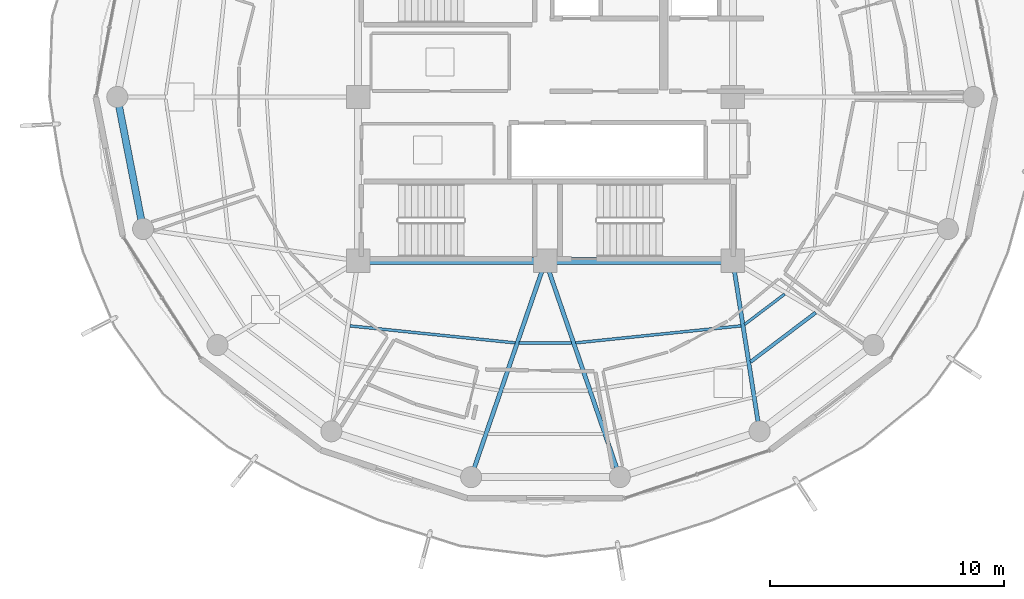
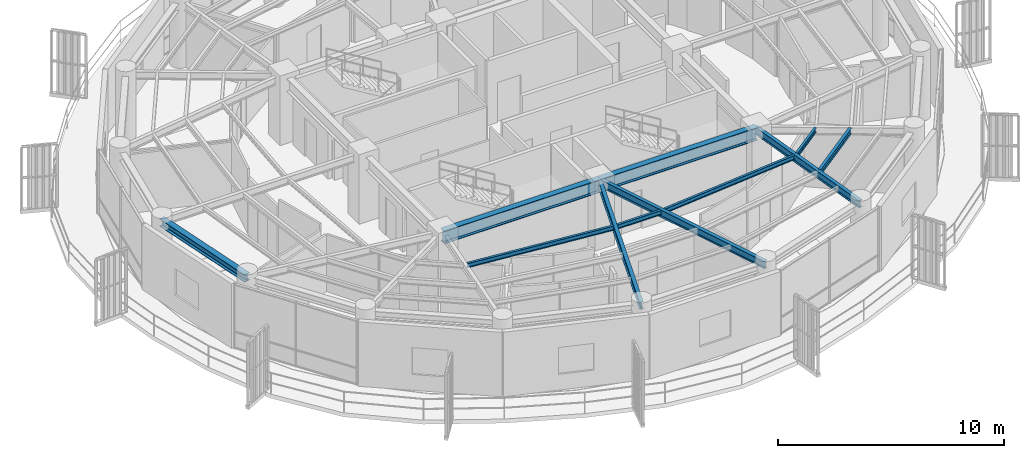
# One storey, part 5 of 23: 11 beams.
"""IFC4 building model written with IfcOpenShell, lengths in metres."""

from ifc_helpers import new_model, si_unit, direction, frame, origin, origin_2d, place, context, subcontext, project, spatial, i_section, extrude, material, material_profile, profile_set, type_object, element, save


model = new_model("IFC4")

# Units and contexts
model_context = context("Model", 3, precision=1e-05, world=origin(), true_north=direction((0.0, 1.0)))
body_context = subcontext(model_context, "Body", "Model", "MODEL_VIEW")
ifc_project = project(units=[si_unit("LENGTHUNIT", "METRE"), si_unit("AREAUNIT", "SQUARE_METRE"), si_unit("VOLUMEUNIT", "CUBIC_METRE"), si_unit("PLANEANGLEUNIT", "RADIAN"), si_unit("MASSUNIT", "GRAM", prefix="KILO")], contexts=[model_context])

# Site, building, storey
site_placement = place(None, origin())
site = spatial("IfcSite", under=ifc_project, at=site_placement, CompositionType="ELEMENT")
building_placement = place(site_placement, origin())
building = spatial("IfcBuilding", under=site, at=building_placement, Name="Kelanora Arch Commons", CompositionType="ELEMENT")
storey_placement = place(building_placement, frame((0.0, 0.0, 256.199951171875)))
storey = spatial("IfcBuildingStorey", under=building, at=storey_placement, Name="L65", CompositionType="ELEMENT", Elevation=256.199951171875)

# Beams
ifc_material = material(Name="Steel S355", Category="steel")
ifc_material_profile_1 = material_profile(ifc_material, i_section(OverallWidth=0.300048828125, OverallDepth=0.699951171875, WebThickness=0.01708984375, FlangeThickness=0.031982421875, FilletRadius=0.027099609375, at=origin_2d()), Name="HEB700")
ifc_profile_set_1 = profile_set([ifc_material_profile_1], Name="Steel S355")
beam_type_1 = type_object("IfcBeamType", Name="BM-CORE-HDR", PredefinedType="BEAM", material=ifc_profile_set_1)
for number, where, z_axis, x_axis, name in (
    (1, (66.0, 51.0, 3.14013671875), (1.0, 0.0, 0.0), (0.0, 1.0, 0.0), "Core Header Beam 01 L65"),
    (2, (74.0, 51.0, 3.14013671875), (1.0, 0.0, 0.0), (0.0, 1.0, 0.0), "Core Header Beam 02 L65"),
):
    element("IfcBeam", number, at=place(storey_placement, frame(where, z_axis=z_axis, x_axis=x_axis)), inside=storey, type_object=beam_type_1, Name=name, PredefinedType="BEAM", context=body_context, shape_type="SweptSolid", body=[
        extrude(i_section(OverallWidth=0.300048828125, OverallDepth=0.699951171875, WebThickness=0.01708984375, FlangeThickness=0.031982421875, FilletRadius=0.027099609375, at=origin_2d()), origin(), (0.0, 0.0, 1.0), 8.0),
    ])
ifc_material_profile_2 = material_profile(ifc_material, i_section(OverallWidth=0.14990234375, OverallDepth=0.300048828125, WebThickness=0.007080078125, FlangeThickness=0.0107421875, FilletRadius=0.014892578125, at=origin_2d()), Name="IPE300")
ifc_profile_set_2 = profile_set([ifc_material_profile_2], Name="Steel S355")
beam_type_2 = type_object("IfcBeamType", Name="BM-JST-01", PredefinedType="JOIST", material=ifc_profile_set_2)
beam_1_placement = place(storey_placement, frame((82.751708984375, 46.68798828125, 3.340087890625), z_axis=(0.797499198801, 0.603320004568, 0.0), x_axis=(-0.603320004568, 0.797499198801, 0.0)))
element("IfcBeam", 3, at=beam_1_placement, inside=storey, type_object=beam_type_2, Name="Secondary Chord Joist BJB-30 L65", PredefinedType="JOIST", context=body_context, shape_type="SweptSolid", body=[
    extrude(i_section(OverallWidth=0.14990234375, OverallDepth=0.300048828125, WebThickness=0.007080078125, FlangeThickness=0.0107421875, FilletRadius=0.014892578125, at=origin_2d()), origin(), (0.0, 0.0, 1.0), 3.489013671875),
])
ifc_material_profile_3 = material_profile(ifc_material, i_section(OverallWidth=0.1201171875, OverallDepth=0.239990234375, WebThickness=0.006103515625, FlangeThickness=0.009765625, FilletRadius=0.014892578125, at=origin_2d()), Name="IPE240")
ifc_profile_set_3 = profile_set([ifc_material_profile_3], Name="Steel S355")
beam_type_3 = type_object("IfcBeamType", Name="BM-JST-02", PredefinedType="JOIST", material=ifc_profile_set_3)
beam_2_placement = place(storey_placement, frame((65.6513671875, 48.227783203125, 3.3701171875), z_axis=(0.994746545688, -0.102368500239, 0.0), x_axis=(0.102368500239, 0.994746545688, 0.0)))
element("IfcBeam", 4, at=beam_2_placement, inside=storey, type_object=beam_type_3, Name="Secondary Chord Joist BJA-24 L65", PredefinedType="JOIST", context=body_context, shape_type="SweptSolid", body=[
    extrude(i_section(OverallWidth=0.1201171875, OverallDepth=0.239990234375, WebThickness=0.006103515625, FlangeThickness=0.009765625, FilletRadius=0.014892578125, at=origin_2d()), origin(), (0.0, 0.0, 1.0), 7.09521484375),
])
beam_3_placement = place(storey_placement, frame((72.87890625, 47.492919921875, 3.3701171875), z_axis=(1.0, 0.0, 0.0), x_axis=(0.0, 1.0, 0.0)))
element("IfcBeam", 5, at=beam_3_placement, inside=storey, type_object=beam_type_3, Name="Secondary Chord Joist BJA-26 L65", PredefinedType="JOIST", context=body_context, shape_type="SweptSolid", body=[
    extrude(i_section(OverallWidth=0.1201171875, OverallDepth=0.239990234375, WebThickness=0.006103515625, FlangeThickness=0.009765625, FilletRadius=0.014892578125, at=origin_2d()), origin(), (0.0, 0.0, 1.0), 2.2421875),
])
beam_4_placement = place(storey_placement, frame((75.290771484375, 47.50146484375, 3.3701171875), z_axis=(0.994746545688, 0.102368500239, 0.0), x_axis=(-0.102368500239, 0.994746545688, 0.0)))
element("IfcBeam", 6, at=beam_4_placement, inside=storey, type_object=beam_type_3, Name="Secondary Chord Joist BJA-28 L65", PredefinedType="JOIST", context=body_context, shape_type="SweptSolid", body=[
    extrude(i_section(OverallWidth=0.1201171875, OverallDepth=0.239990234375, WebThickness=0.006103515625, FlangeThickness=0.009765625, FilletRadius=0.014892578125, at=origin_2d()), origin(), (0.0, 0.0, 1.0), 7.09521484375),
])
beam_5_placement = place(storey_placement, frame((82.5009765625, 48.287841796875, 3.3701171875), z_axis=(0.797509883882, 0.603305880222, 0.0), x_axis=(-0.603305880222, 0.797509883882, 0.0)))
element("IfcBeam", 7, at=beam_5_placement, inside=storey, type_object=beam_type_3, Name="Secondary Chord Joist BJA-30 L65", PredefinedType="JOIST", context=body_context, shape_type="SweptSolid", body=[
    extrude(i_section(OverallWidth=0.1201171875, OverallDepth=0.239990234375, WebThickness=0.006103515625, FlangeThickness=0.009765625, FilletRadius=0.014892578125, at=origin_2d()), origin(), (0.0, 0.0, 1.0), 2.147216796875),
])
ifc_material_profile_4 = material_profile(ifc_material, i_section(OverallWidth=0.179931640625, OverallDepth=0.39990234375, WebThickness=0.008544921875, FlangeThickness=0.013427734375, FilletRadius=0.02099609375, at=origin_2d()), Name="IPE400")
ifc_profile_set_4 = profile_set([ifc_material_profile_4], Name="Steel S355")
beam_type_4 = type_object("IfcBeamType", Name="BM-RAD-Z5", PredefinedType="BEAM", material=ifc_profile_set_4)
for number, where, z_axis, x_axis, name in (
    (8, (74.0, 51.0, 3.2900390625), (-0.325233562807, -0.945633718532, 0.0), (0.945633718532, -0.325233562807, 0.0), "Radial Floor Girder BR-26 L65"),
    (9, (74.0, 51.0, 3.2900390625), (0.325233562807, -0.945633718532, 0.0), (0.945633718532, 0.325233562807, 0.0), "Radial Floor Girder BR-28 L65"),
):
    element("IfcBeam", number, at=place(storey_placement, frame(where, z_axis=z_axis, x_axis=x_axis)), inside=storey, type_object=beam_type_4, Name=name, PredefinedType="BEAM", context=body_context, shape_type="SweptSolid", body=[
        extrude(i_section(OverallWidth=0.179931640625, OverallDepth=0.39990234375, WebThickness=0.008544921875, FlangeThickness=0.013427734375, FilletRadius=0.02099609375, at=origin_2d()), origin(), (0.0, 0.0, 1.0), 9.760009765625),
    ])
beam_6_placement = place(storey_placement, frame((82.0, 51.0, 3.2900390625), z_axis=(0.154855424129, -0.987937142544, 0.0), x_axis=(0.987937142544, 0.154855424129, 0.0)))
element("IfcBeam", 10, at=beam_6_placement, inside=storey, type_object=beam_type_4, Name="Radial Floor Girder BR-30 L65", PredefinedType="BEAM", context=body_context, shape_type="SweptSolid", body=[
    extrude(i_section(OverallWidth=0.179931640625, OverallDepth=0.39990234375, WebThickness=0.008544921875, FlangeThickness=0.013427734375, FilletRadius=0.02099609375, at=origin_2d()), origin(), (0.0, 0.0, 1.0), 7.361083984375),
])
ifc_material_profile_5 = material_profile(ifc_material, i_section(OverallWidth=0.300048828125, OverallDepth=0.39990234375, WebThickness=0.013427734375, FlangeThickness=0.02392578125, FilletRadius=0.027099609375, at=origin_2d()), Name="HEB400")
ifc_profile_set_5 = profile_set([ifc_material_profile_5], Name="Steel S355")
beam_type_5 = type_object("IfcBeamType", Name="BM-SPN-Z4", PredefinedType="SPANDREL", material=ifc_profile_set_5)
beam_7_placement = place(storey_placement, frame((55.719970703125, 58.0, 3.2900390625), z_axis=(0.191969774604, -0.981400838413, 0.0), x_axis=(0.981400838413, 0.191969774604, 0.0)))
element("IfcBeam", 11, at=beam_7_placement, inside=storey, type_object=beam_type_5, Name="Perimeter Spandrel Beam BS-18 L65", PredefinedType="SPANDREL", context=body_context, shape_type="SweptSolid", body=[
    extrude(i_section(OverallWidth=0.300048828125, OverallDepth=0.39990234375, WebThickness=0.013427734375, FlangeThickness=0.02392578125, FilletRadius=0.027099609375, at=origin_2d()), origin(), (0.0, 0.0, 1.0), 5.743408203125),
])

save(model, "model.ifc")
